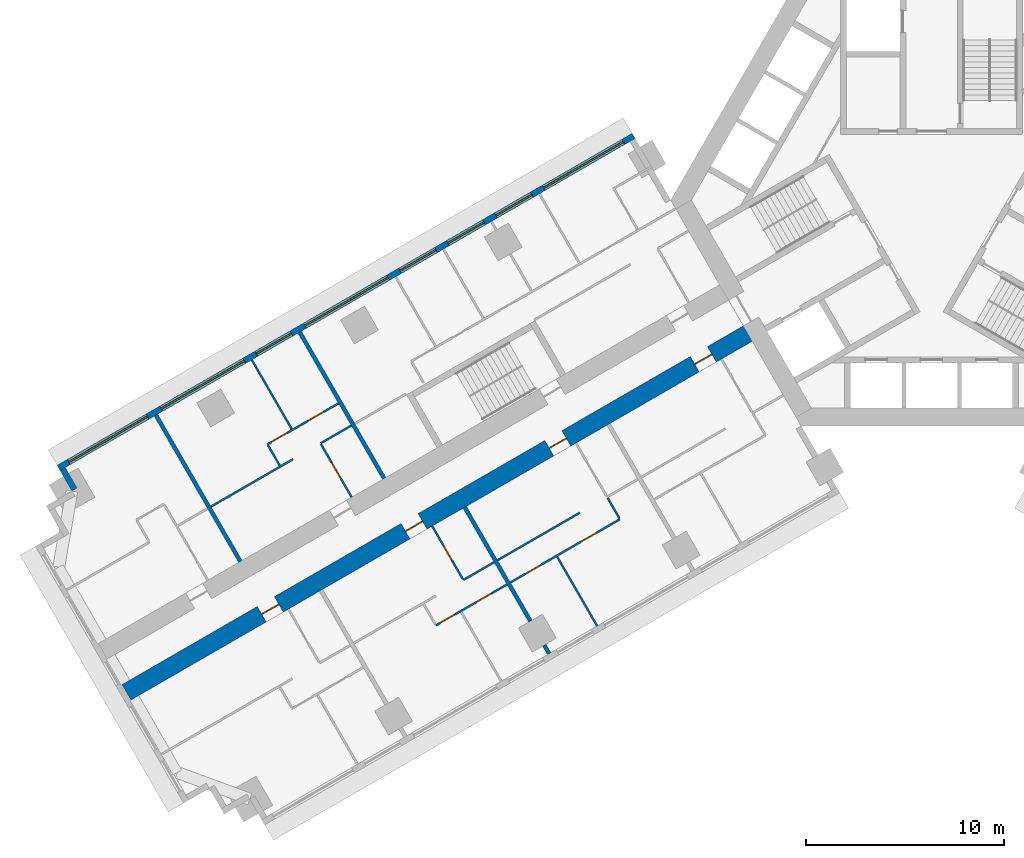
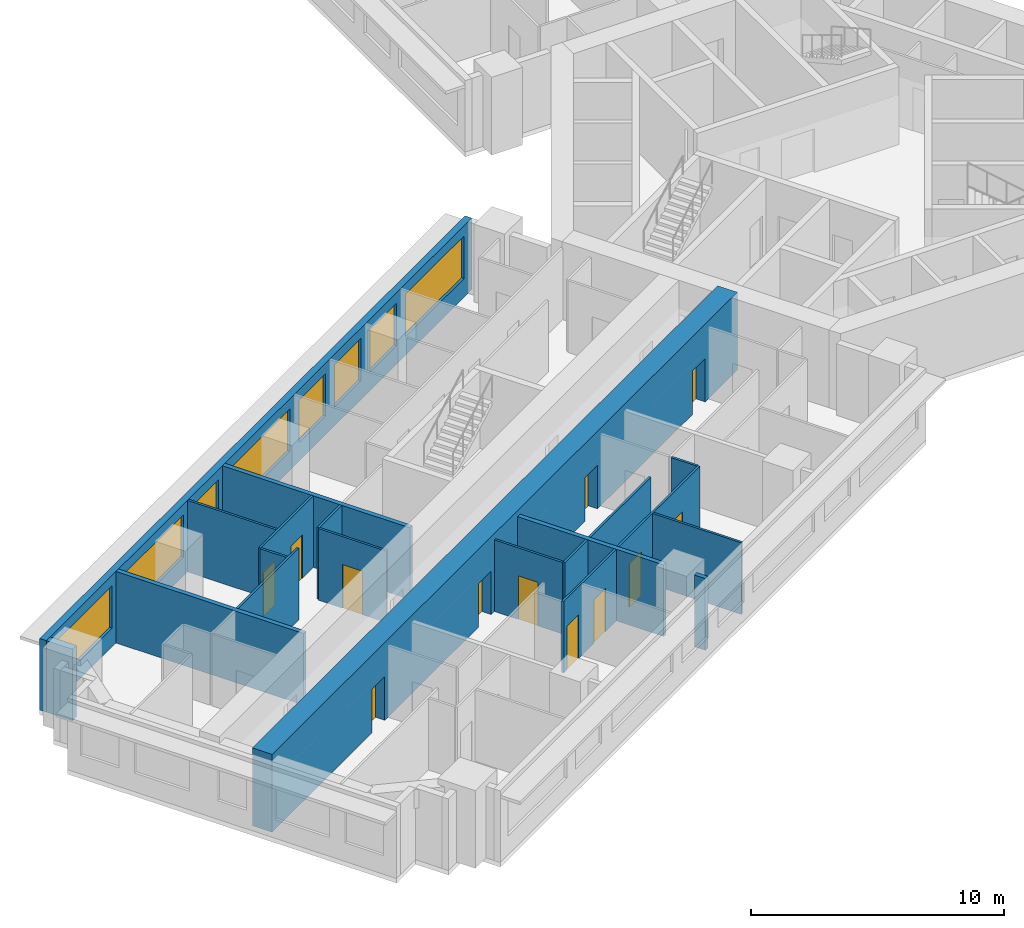
# One storey, part 3 of 14: 20 walls, 12 doors, 8 windows, 20 openings.
"""IFC4 building model written with IfcOpenShell, lengths in metres."""

from ifc_helpers import new_model, si_unit, direction, frame, frame_2d, origin, place, context, subcontext, project, spatial, rectangle, extrude, material, layer, layer_set, type_object, element, fill, save


model = new_model("IFC4")

# Units and contexts
model_context = context("Model", 3, precision=1e-05, world=origin(), true_north=direction((0.0, 1.0)))
body_context = subcontext(model_context, "Body", "Model", "MODEL_VIEW")
ifc_project = project(units=[si_unit("LENGTHUNIT", "METRE"), si_unit("AREAUNIT", "SQUARE_METRE"), si_unit("VOLUMEUNIT", "CUBIC_METRE"), si_unit("PLANEANGLEUNIT", "RADIAN"), si_unit("MASSUNIT", "GRAM", prefix="KILO")], contexts=[model_context])

# Site, building, storey
site_placement = place(None, origin())
site = spatial("IfcSite", under=ifc_project, at=site_placement, CompositionType="ELEMENT")
building_placement = place(site_placement, origin())
building = spatial("IfcBuilding", under=site, at=building_placement, Name="Impinga Residences", CompositionType="ELEMENT")
storey_placement = place(building_placement, frame((0.0, 0.0, 89.75)))
storey = spatial("IfcBuildingStorey", under=building, at=storey_placement, Name="L22", CompositionType="ELEMENT", Elevation=89.75)

# Wall, openings, doors
ifc_material_1 = material(Name="Concrete C70/85", Category="concrete")
ifc_layer_1 = layer(ifc_material_1, 0.89990234375)
ifc_layer_set_1 = layer_set([ifc_layer_1], Name="Concrete C70/85")
wall_type_1 = type_object("IfcWallType", Name="BW1 corridor buttress wall, L05 to L22 900", PredefinedType="SHEAR", material=ifc_layer_set_1)
wall_1_placement = place(storey_placement, frame((-8.910400390625, -6.530029296875, 0.0), z_axis=(0.0, 0.0, 1.0), x_axis=(-0.866025284237, -0.500000207062, 0.0)))
wall_1 = element("IfcWall", 1, at=wall_1_placement, inside=storey, type_object=wall_type_1, Name="Corridor wall BW1 WC L22", PredefinedType="SHEAR", context=body_context, shape_type="SweptSolid", body=[
    extrude(rectangle(XDim=36.75, YDim=0.89990234375, at=frame_2d((18.375, 0.0))), origin(), (0.0, 0.0, 1.0), 3.75),
])
opening_1_placement = place(wall_1_placement, frame((2.550048828125, 0.0, 0.0)))
opening_1 = element("IfcOpeningElement", 2, at=opening_1_placement, cuts=wall_1, Name="Opening D1", PredefinedType="OPENING", context=body_context, shape_type="SweptSolid", body=[
    extrude(rectangle(XDim=1.0, YDim=2.10009765625, at=frame_2d((0.5, 1.050048828125))), frame((0.0, 0.4599609375, 0.0), z_axis=(0.0, -1.0, 0.0), x_axis=(1.0, 0.0, 0.0)), (0.0, 0.0, 1.0), 0.919921875),
])
opening_2_placement = place(wall_1_placement, frame((11.050048828125, 0.0, 0.0)))
opening_2 = element("IfcOpeningElement", 3, at=opening_2_placement, cuts=wall_1, Name="Opening D1", PredefinedType="OPENING", context=body_context, shape_type="SweptSolid", body=[
    extrude(rectangle(XDim=1.0, YDim=2.10009765625, at=frame_2d((0.5, 1.050048828125))), frame((0.0, 0.4599609375, 0.0), z_axis=(0.0, -1.0, 0.0), x_axis=(1.0, 0.0, 0.0)), (0.0, 0.0, 1.0), 0.919921875),
])
opening_3_placement = place(wall_1_placement, frame((19.449951171875, 0.0, 0.0)))
opening_3 = element("IfcOpeningElement", 4, at=opening_3_placement, cuts=wall_1, Name="Opening D1", PredefinedType="OPENING", context=body_context, shape_type="SweptSolid", body=[
    extrude(rectangle(XDim=1.0, YDim=2.10009765625, at=frame_2d((0.5, 1.050048828125))), frame((0.0, 0.4599609375, 0.0), z_axis=(0.0, -1.0, 0.0), x_axis=(1.0, 0.0, 0.0)), (0.0, 0.0, 1.0), 0.919921875),
])
opening_4_placement = place(wall_1_placement, frame((27.85009765625, 0.0, 0.0)))
opening_4 = element("IfcOpeningElement", 5, at=opening_4_placement, cuts=wall_1, Name="Opening D1", PredefinedType="OPENING", context=body_context, shape_type="SweptSolid", body=[
    extrude(rectangle(XDim=1.0, YDim=2.10009765625, at=frame_2d((0.5, 1.050048828125))), frame((0.0, 0.4599609375, 0.0), z_axis=(0.0, -1.0, 0.0), x_axis=(1.0, 0.0, 0.0)), (0.0, 0.0, 1.0), 0.919921875),
])
ifc_material_2 = material(Name="Timber door set", Category="wood")
door_type_1 = type_object("IfcDoorType", Name="D1 apartment entrance door 1000x2100", OperationType="SINGLE_SWING_LEFT", PredefinedType="DOOR", material=ifc_material_2)
door_1_placement = place(opening_1_placement, origin())
door_1 = element("IfcDoor", 6, at=door_1_placement, inside=storey, type_object=door_type_1, Name="Apartment L22-WA1 entrance", OperationType="SINGLE_SWING_LEFT", OverallHeight=2.10009765625, OverallWidth=1.0, PredefinedType="DOOR", context=body_context, shape_type="SweptSolid", body=[
    extrude(rectangle(XDim=1.0, YDim=2.10009765625, at=frame_2d((0.5, 1.050048828125))), frame((0.0, 0.02490234375, 0.0), z_axis=(0.0, -1.0, 0.0), x_axis=(1.0, 0.0, 0.0)), (0.0, 0.0, 1.0), 0.050048828125),
])
fill(opening_1, door_1)
door_2_placement = place(opening_2_placement, origin())
door_2 = element("IfcDoor", 7, at=door_2_placement, inside=storey, type_object=door_type_1, Name="Apartment L22-WA2 entrance", OperationType="SINGLE_SWING_LEFT", OverallHeight=2.10009765625, OverallWidth=1.0, PredefinedType="DOOR", context=body_context, shape_type="SweptSolid", body=[
    extrude(rectangle(XDim=1.0, YDim=2.10009765625, at=frame_2d((0.5, 1.050048828125))), frame((0.0, 0.02490234375, 0.0), z_axis=(0.0, -1.0, 0.0), x_axis=(1.0, 0.0, 0.0)), (0.0, 0.0, 1.0), 0.050048828125),
])
fill(opening_2, door_2)
door_3_placement = place(opening_3_placement, origin())
door_3 = element("IfcDoor", 8, at=door_3_placement, inside=storey, type_object=door_type_1, Name="Apartment L22-WA3 entrance", OperationType="SINGLE_SWING_RIGHT", OverallHeight=2.10009765625, OverallWidth=1.0, PredefinedType="DOOR", context=body_context, shape_type="SweptSolid", body=[
    extrude(rectangle(XDim=1.0, YDim=2.10009765625, at=frame_2d((0.5, 1.050048828125))), frame((0.0, 0.02490234375, 0.0), z_axis=(0.0, -1.0, 0.0), x_axis=(1.0, 0.0, 0.0)), (0.0, 0.0, 1.0), 0.050048828125),
])
fill(opening_3, door_3)
door_4_placement = place(opening_4_placement, origin())
door_4 = element("IfcDoor", 9, at=door_4_placement, inside=storey, type_object=door_type_1, Name="Apartment L22-WA4 entrance", OperationType="SINGLE_SWING_RIGHT", OverallHeight=2.10009765625, OverallWidth=1.0, PredefinedType="DOOR", context=body_context, shape_type="SweptSolid", body=[
    extrude(rectangle(XDim=1.0, YDim=2.10009765625, at=frame_2d((0.5, 1.050048828125))), frame((0.0, 0.02490234375, 0.0), z_axis=(0.0, -1.0, 0.0), x_axis=(1.0, 0.0, 0.0)), (0.0, 0.0, 1.0), 0.050048828125),
])
fill(opening_4, door_4)

# Wall
ifc_material_3 = material(Name="Terracotta rainscreen on blockwork", Category="masonry")
ifc_layer_2 = layer(ifc_material_3, 0.300048828125)
ifc_layer_set_2 = layer_set([ifc_layer_2], Name="EW1 external wall, terracotta rainscreen on blockwork 300")
wall_type_2 = type_object("IfcWallType", Name="EW1 external wall, terracotta rainscreen on blockwork 300", PredefinedType="SOLIDWALL", material=ifc_layer_set_2)
wall_2_placement = place(storey_placement, frame((-43.37109375, -14.64208984375, 0.0), z_axis=(0.0, 0.0, 1.0), x_axis=(-0.500029051137, 0.866008630453, 0.0)))
element("IfcWall", 10, at=wall_2_placement, inside=storey, type_object=wall_type_2, Name="External wall EW1 L22", PredefinedType="SOLIDWALL", context=body_context, shape_type="SweptSolid", body=[
    extrude(rectangle(XDim=1.19482421875, YDim=0.300048828125, at=frame_2d((0.597412109375, 0.0))), origin(), (0.0, 0.0, 1.0), 3.449951171875),
])

# Wall, openings, windows
wall_3_placement = place(storey_placement, frame((-44.17333984375, -13.552490234375, 0.0), z_axis=(0.0, 0.0, 1.0), x_axis=(0.866024291668, 0.500001926238, 0.0)))
wall_3 = element("IfcWall", 11, at=wall_3_placement, inside=storey, type_object=wall_type_2, Name="External wall EW1 L22", PredefinedType="SOLIDWALL", context=body_context, shape_type="SweptSolid", body=[
    extrude(rectangle(XDim=33.599853515625, YDim=0.300048828125, at=frame_2d((16.7998046875, 0.0))), origin(), (0.0, 0.0, 1.0), 3.449951171875),
])
opening_5_placement = place(wall_3_placement, frame((0.60009765625, 0.0, 0.89990234375)))
opening_5 = element("IfcOpeningElement", 12, at=opening_5_placement, cuts=wall_3, Name="Opening W3", PredefinedType="OPENING", context=body_context, shape_type="SweptSolid", body=[
    extrude(rectangle(XDim=4.60009765625, YDim=2.050048828125, at=frame_2d((2.300048828125, 1.02490234375))), frame((0.0, 0.159912109375, 0.0), z_axis=(0.0, -1.0, 0.0), x_axis=(1.0, 0.0, 0.0)), (0.0, 0.0, 1.0), 0.320068359375),
])
opening_6_placement = place(wall_3_placement, frame((6.0, 0.0, 0.89990234375)))
opening_6 = element("IfcOpeningElement", 13, at=opening_6_placement, cuts=wall_3, Name="Opening W6", PredefinedType="OPENING", context=body_context, shape_type="SweptSolid", body=[
    extrude(rectangle(XDim=4.85009765625, YDim=2.050048828125, at=frame_2d((2.425048828125, 1.02490234375))), frame((0.0, 0.159912109375, 0.0), z_axis=(0.0, -1.0, 0.0), x_axis=(1.0, 0.0, 0.0)), (0.0, 0.0, 1.0), 0.320068359375),
])
opening_7_placement = place(wall_3_placement, frame((11.550048828125, 0.0, 0.89990234375)))
opening_7 = element("IfcOpeningElement", 14, at=opening_7_placement, cuts=wall_3, Name="Opening W14", PredefinedType="OPENING", context=body_context, shape_type="SweptSolid", body=[
    extrude(rectangle(XDim=2.050048828125, YDim=2.050048828125, at=frame_2d((1.02490234375, 1.02490234375))), frame((0.0, 0.159912109375, 0.0), z_axis=(0.0, -1.0, 0.0), x_axis=(1.0, 0.0, 0.0)), (0.0, 0.0, 1.0), 0.320068359375),
])
opening_8_placement = place(wall_3_placement, frame((14.39990234375, 0.0, 0.89990234375)))
opening_8 = element("IfcOpeningElement", 15, at=opening_8_placement, cuts=wall_3, Name="Opening W6", PredefinedType="OPENING", context=body_context, shape_type="SweptSolid", body=[
    extrude(rectangle(XDim=4.85009765625, YDim=2.050048828125, at=frame_2d((2.425048828125, 1.02490234375))), frame((0.0, 0.159912109375, 0.0), z_axis=(0.0, -1.0, 0.0), x_axis=(1.0, 0.0, 0.0)), (0.0, 0.0, 1.0), 0.320068359375),
])
opening_9_placement = place(wall_3_placement, frame((19.949951171875, 0.0, 0.89990234375)))
opening_9 = element("IfcOpeningElement", 16, at=opening_9_placement, cuts=wall_3, Name="Opening W9", PredefinedType="OPENING", context=body_context, shape_type="SweptSolid", body=[
    extrude(rectangle(XDim=2.10009765625, YDim=2.050048828125, at=frame_2d((1.050048828125, 1.02490234375))), frame((0.0, 0.159912109375, 0.0), z_axis=(0.0, -1.0, 0.0), x_axis=(1.0, 0.0, 0.0)), (0.0, 0.0, 1.0), 0.320068359375),
])
opening_10_placement = place(wall_3_placement, frame((22.75, 0.0, 0.89990234375)))
opening_10 = element("IfcOpeningElement", 17, at=opening_10_placement, cuts=wall_3, Name="Opening W9", PredefinedType="OPENING", context=body_context, shape_type="SweptSolid", body=[
    extrude(rectangle(XDim=2.10009765625, YDim=2.050048828125, at=frame_2d((1.050048828125, 1.02490234375))), frame((0.0, 0.159912109375, 0.0), z_axis=(0.0, -1.0, 0.0), x_axis=(1.0, 0.0, 0.0)), (0.0, 0.0, 1.0), 0.320068359375),
])
opening_11_placement = place(wall_3_placement, frame((25.550048828125, 0.0, 0.89990234375)))
opening_11 = element("IfcOpeningElement", 18, at=opening_11_placement, cuts=wall_3, Name="Opening W9", PredefinedType="OPENING", context=body_context, shape_type="SweptSolid", body=[
    extrude(rectangle(XDim=2.10009765625, YDim=2.050048828125, at=frame_2d((1.050048828125, 1.02490234375))), frame((0.0, 0.159912109375, 0.0), z_axis=(0.0, -1.0, 0.0), x_axis=(1.0, 0.0, 0.0)), (0.0, 0.0, 1.0), 0.320068359375),
])
opening_12_placement = place(wall_3_placement, frame((28.35009765625, 0.0, 0.89990234375)))
opening_12 = element("IfcOpeningElement", 19, at=opening_12_placement, cuts=wall_3, Name="Opening W10", PredefinedType="OPENING", context=body_context, shape_type="SweptSolid", body=[
    extrude(rectangle(XDim=4.64990234375, YDim=2.050048828125, at=frame_2d((2.324951171875, 1.02490234375))), frame((0.0, 0.159912109375, 0.0), z_axis=(0.0, -1.0, 0.0), x_axis=(1.0, 0.0, 0.0)), (0.0, 0.0, 1.0), 0.320068359375),
])
ifc_material_4 = material(Name="Aluminium window, clear double glazing", Category="aluminium")
window_type_1 = type_object("IfcWindowType", Name="W10 ribbon window 4650x2050", PartitioningType="SINGLE_PANEL", PredefinedType="WINDOW", material=ifc_material_4)
window_1_placement = place(opening_12_placement, origin())
window_1 = element("IfcWindow", 20, at=window_1_placement, inside=storey, type_object=window_type_1, Name="Window L22", OverallHeight=2.050048828125, OverallWidth=4.64990234375, PartitioningType="SINGLE_PANEL", PredefinedType="WINDOW", context=body_context, shape_type="SweptSolid", body=[
    extrude(rectangle(XDim=4.64990234375, YDim=2.050048828125, at=frame_2d((2.324951171875, 1.02490234375))), frame((0.0, 0.030029296875, 0.0), z_axis=(0.0, -1.0, 0.0), x_axis=(1.0, 0.0, 0.0)), (0.0, 0.0, 1.0), 0.06005859375),
])
fill(opening_12, window_1)
window_type_2 = type_object("IfcWindowType", Name="W14 ribbon window 2050x2050", PartitioningType="SINGLE_PANEL", PredefinedType="WINDOW", material=ifc_material_4)
window_2_placement = place(opening_7_placement, origin())
window_2 = element("IfcWindow", 21, at=window_2_placement, inside=storey, type_object=window_type_2, Name="Window L22", OverallHeight=2.050048828125, OverallWidth=2.050048828125, PartitioningType="SINGLE_PANEL", PredefinedType="WINDOW", context=body_context, shape_type="SweptSolid", body=[
    extrude(rectangle(XDim=2.050048828125, YDim=2.050048828125, at=frame_2d((1.02490234375, 1.02490234375))), frame((0.0, 0.030029296875, 0.0), z_axis=(0.0, -1.0, 0.0), x_axis=(1.0, 0.0, 0.0)), (0.0, 0.0, 1.0), 0.06005859375),
])
fill(opening_7, window_2)
window_type_3 = type_object("IfcWindowType", Name="W3 ribbon window 4600x2050", PartitioningType="SINGLE_PANEL", PredefinedType="WINDOW", material=ifc_material_4)
window_3_placement = place(opening_5_placement, origin())
window_3 = element("IfcWindow", 22, at=window_3_placement, inside=storey, type_object=window_type_3, Name="Window L22", OverallHeight=2.050048828125, OverallWidth=4.60009765625, PartitioningType="SINGLE_PANEL", PredefinedType="WINDOW", context=body_context, shape_type="SweptSolid", body=[
    extrude(rectangle(XDim=4.60009765625, YDim=2.050048828125, at=frame_2d((2.300048828125, 1.02490234375))), frame((0.0, 0.030029296875, 0.0), z_axis=(0.0, -1.0, 0.0), x_axis=(1.0, 0.0, 0.0)), (0.0, 0.0, 1.0), 0.06005859375),
])
fill(opening_5, window_3)
window_type_4 = type_object("IfcWindowType", Name="W6 ribbon window 4850x2050", PartitioningType="SINGLE_PANEL", PredefinedType="WINDOW", material=ifc_material_4)
window_4_placement = place(opening_6_placement, origin())
window_4 = element("IfcWindow", 23, at=window_4_placement, inside=storey, type_object=window_type_4, Name="Window L22", OverallHeight=2.050048828125, OverallWidth=4.85009765625, PartitioningType="SINGLE_PANEL", PredefinedType="WINDOW", context=body_context, shape_type="SweptSolid", body=[
    extrude(rectangle(XDim=4.85009765625, YDim=2.050048828125, at=frame_2d((2.425048828125, 1.02490234375))), frame((0.0, 0.030029296875, 0.0), z_axis=(0.0, -1.0, 0.0), x_axis=(1.0, 0.0, 0.0)), (0.0, 0.0, 1.0), 0.06005859375),
])
fill(opening_6, window_4)
window_5_placement = place(opening_8_placement, origin())
window_5 = element("IfcWindow", 24, at=window_5_placement, inside=storey, type_object=window_type_4, Name="Window L22", OverallHeight=2.050048828125, OverallWidth=4.85009765625, PartitioningType="SINGLE_PANEL", PredefinedType="WINDOW", context=body_context, shape_type="SweptSolid", body=[
    extrude(rectangle(XDim=4.85009765625, YDim=2.050048828125, at=frame_2d((2.425048828125, 1.02490234375))), frame((0.0, 0.030029296875, 0.0), z_axis=(0.0, -1.0, 0.0), x_axis=(1.0, 0.0, 0.0)), (0.0, 0.0, 1.0), 0.06005859375),
])
fill(opening_8, window_5)
window_type_5 = type_object("IfcWindowType", Name="W9 ribbon window 2100x2050", PartitioningType="SINGLE_PANEL", PredefinedType="WINDOW", material=ifc_material_4)
window_6_placement = place(opening_9_placement, origin())
window_6 = element("IfcWindow", 25, at=window_6_placement, inside=storey, type_object=window_type_5, Name="Window L22", OverallHeight=2.050048828125, OverallWidth=2.10009765625, PartitioningType="SINGLE_PANEL", PredefinedType="WINDOW", context=body_context, shape_type="SweptSolid", body=[
    extrude(rectangle(XDim=2.10009765625, YDim=2.050048828125, at=frame_2d((1.050048828125, 1.02490234375))), frame((0.0, 0.030029296875, 0.0), z_axis=(0.0, -1.0, 0.0), x_axis=(1.0, 0.0, 0.0)), (0.0, 0.0, 1.0), 0.06005859375),
])
fill(opening_9, window_6)
window_7_placement = place(opening_10_placement, origin())
window_7 = element("IfcWindow", 26, at=window_7_placement, inside=storey, type_object=window_type_5, Name="Window L22", OverallHeight=2.050048828125, OverallWidth=2.10009765625, PartitioningType="SINGLE_PANEL", PredefinedType="WINDOW", context=body_context, shape_type="SweptSolid", body=[
    extrude(rectangle(XDim=2.10009765625, YDim=2.050048828125, at=frame_2d((1.050048828125, 1.02490234375))), frame((0.0, 0.030029296875, 0.0), z_axis=(0.0, -1.0, 0.0), x_axis=(1.0, 0.0, 0.0)), (0.0, 0.0, 1.0), 0.06005859375),
])
fill(opening_10, window_7)
window_8_placement = place(opening_11_placement, origin())
window_8 = element("IfcWindow", 27, at=window_8_placement, inside=storey, type_object=window_type_5, Name="Window L22", OverallHeight=2.050048828125, OverallWidth=2.10009765625, PartitioningType="SINGLE_PANEL", PredefinedType="WINDOW", context=body_context, shape_type="SweptSolid", body=[
    extrude(rectangle(XDim=2.10009765625, YDim=2.050048828125, at=frame_2d((1.050048828125, 1.02490234375))), frame((0.0, 0.030029296875, 0.0), z_axis=(0.0, -1.0, 0.0), x_axis=(1.0, 0.0, 0.0)), (0.0, 0.0, 1.0), 0.06005859375),
])
fill(opening_11, window_8)

# Wall
ifc_material_5 = material(Name="Gypsum board on steel studs", Category="steel")
ifc_layer_3 = layer(ifc_material_5, 0.10009765625)
ifc_layer_set_3 = layer_set([ifc_layer_3], Name="Gypsum board on steel studs")
wall_type_3 = type_object("IfcWallType", Name="IP1 partition 100", PredefinedType="PARTITIONING", material=ifc_layer_set_3)
wall_4_placement = place(storey_placement, frame((-17.8056640625, -15.82275390625, 0.0), z_axis=(0.0, 0.0, 1.0), x_axis=(-0.866037363387, -0.499979284789, 0.0)))
element("IfcWall", 28, at=wall_4_placement, inside=storey, type_object=wall_type_3, Name="Partition L22-WA2:DIV1", PredefinedType="PARTITIONING", context=body_context, shape_type="SweptSolid", body=[
    extrude(rectangle(XDim=4.800048828125, YDim=0.10009765625, at=frame_2d((2.39990234375, 0.0))), origin(), (0.0, 0.0, 1.0), 3.449951171875),
])

# Wall, openings, doors
wall_5_placement = place(storey_placement, frame((-15.77001953125, -16.1484375, 0.0), z_axis=(0.0, 0.0, 1.0), x_axis=(-0.866018518567, -0.500011925357, 0.0)))
wall_5 = element("IfcWall", 29, at=wall_5_placement, inside=storey, type_object=wall_type_3, Name="Partition L22-WA2:STRIP", PredefinedType="PARTITIONING", context=body_context, shape_type="SweptSolid", body=[
    extrude(rectangle(XDim=6.400146484375, YDim=0.10009765625, at=frame_2d((3.2001953125, 0.0))), origin(), (0.0, 0.0, 1.0), 3.449951171875),
])
opening_13_placement = place(wall_5_placement, frame((1.375, 0.0, 0.0)))
opening_13 = element("IfcOpeningElement", 30, at=opening_13_placement, cuts=wall_5, Name="Opening D2", PredefinedType="OPENING", context=body_context, shape_type="SweptSolid", body=[
    extrude(rectangle(XDim=0.89990234375, YDim=2.10009765625, at=frame_2d((0.449951171875, 1.050048828125))), frame((0.0, 0.06005859375, 0.0), z_axis=(0.0, -1.0, 0.0), x_axis=(1.0, 0.0, 0.0)), (0.0, 0.0, 1.0), 0.1201171875),
])
opening_14_placement = place(wall_5_placement, frame((4.625, 0.0, 0.0)))
opening_14 = element("IfcOpeningElement", 31, at=opening_14_placement, cuts=wall_5, Name="Opening D2", PredefinedType="OPENING", context=body_context, shape_type="SweptSolid", body=[
    extrude(rectangle(XDim=0.89990234375, YDim=2.10009765625, at=frame_2d((0.449951171875, 1.050048828125))), frame((0.0, 0.06005859375, 0.0), z_axis=(0.0, -1.0, 0.0), x_axis=(1.0, 0.0, 0.0)), (0.0, 0.0, 1.0), 0.1201171875),
])
door_type_2 = type_object("IfcDoorType", Name="D2 internal door 900x2100", OperationType="SINGLE_SWING_LEFT", PredefinedType="DOOR", material=ifc_material_2)
door_5_placement = place(opening_13_placement, origin())
door_5 = element("IfcDoor", 32, at=door_5_placement, inside=storey, type_object=door_type_2, Name="Apartment L22-WA2 room door", OperationType="SINGLE_SWING_LEFT", OverallHeight=2.10009765625, OverallWidth=0.89990234375, PredefinedType="DOOR", context=body_context, shape_type="SweptSolid", body=[
    extrude(rectangle(XDim=0.89990234375, YDim=2.10009765625, at=frame_2d((0.449951171875, 1.050048828125))), frame((0.0, 0.02490234375, 0.0), z_axis=(0.0, -1.0, 0.0), x_axis=(1.0, 0.0, 0.0)), (0.0, 0.0, 1.0), 0.050048828125),
])
fill(opening_13, door_5)
door_6_placement = place(opening_14_placement, origin())
door_6 = element("IfcDoor", 33, at=door_6_placement, inside=storey, type_object=door_type_2, Name="Apartment L22-WA2 room door", OperationType="SINGLE_SWING_RIGHT", OverallHeight=2.10009765625, OverallWidth=0.89990234375, PredefinedType="DOOR", context=body_context, shape_type="SweptSolid", body=[
    extrude(rectangle(XDim=0.89990234375, YDim=2.10009765625, at=frame_2d((0.449951171875, 1.050048828125))), frame((0.0, 0.02490234375, 0.0), z_axis=(0.0, -1.0, 0.0), x_axis=(1.0, 0.0, 0.0)), (0.0, 0.0, 1.0), 0.050048828125),
])
fill(opening_14, door_6)

# Walls
wall_6_placement = place(storey_placement, frame((-16.39501953125, -15.06591796875, 0.0), z_axis=(0.0, 0.0, 1.0), x_axis=(0.499880961361, -0.866094119867, 0.0)))
element("IfcWall", 34, at=wall_6_placement, inside=storey, type_object=wall_type_3, Name="Partition L22-WA2:SE0", PredefinedType="PARTITIONING", context=body_context, shape_type="SweptSolid", body=[
    extrude(rectangle(XDim=1.199951171875, YDim=0.10009765625, at=frame_2d((0.60009765625, 0.0))), origin(), (0.0, 0.0, 1.0), 3.449951171875),
])
wall_7_placement = place(storey_placement, frame((-18.949462890625, -18.041748046875, 0.0), z_axis=(0.0, 0.0, 1.0), x_axis=(0.50000943426, -0.866019956843, 0.0)))
element("IfcWall", 35, at=wall_7_placement, inside=storey, type_object=wall_type_3, Name="Partition L22-WA2:OB1", PredefinedType="PARTITIONING", context=body_context, shape_type="SweptSolid", body=[
    extrude(rectangle(XDim=4.05029296875, YDim=0.10009765625, at=frame_2d((2.025146484375, 0.0))), origin(), (0.0, 0.0, 1.0), 3.449951171875),
])
wall_8_placement = place(storey_placement, frame((-22.1357421875, -18.32275390625, 0.0), z_axis=(0.0, 0.0, 1.0), x_axis=(-0.866047807691, -0.499961193289, 0.0)))
element("IfcWall", 36, at=wall_8_placement, inside=storey, type_object=wall_type_3, Name="Partition L22-WA3:DIV0", PredefinedType="PARTITIONING", context=body_context, shape_type="SweptSolid", body=[
    extrude(rectangle(XDim=1.800048828125, YDim=0.10009765625, at=frame_2d((0.89990234375, 0.0))), origin(), (0.0, 0.0, 1.0), 3.449951171875),
])

# Wall, openings, doors
wall_9_placement = place(storey_placement, frame((-21.48583984375, -19.448486328125, 0.0), z_axis=(0.0, 0.0, 1.0), x_axis=(-0.86602981871, -0.499992353047, 0.0)))
wall_9 = element("IfcWall", 37, at=wall_9_placement, inside=storey, type_object=wall_type_3, Name="Partition L22-WA3:STRIP", PredefinedType="PARTITIONING", context=body_context, shape_type="SweptSolid", body=[
    extrude(rectangle(XDim=4.14990234375, YDim=0.10009765625, at=frame_2d((2.074951171875, 0.0))), origin(), (0.0, 0.0, 1.0), 3.449951171875),
])
opening_15_placement = place(wall_9_placement, frame((0.875, 0.0, 0.0)))
opening_15 = element("IfcOpeningElement", 38, at=opening_15_placement, cuts=wall_9, Name="Opening D2", PredefinedType="OPENING", context=body_context, shape_type="SweptSolid", body=[
    extrude(rectangle(XDim=0.89990234375, YDim=2.10009765625, at=frame_2d((0.449951171875, 1.050048828125))), frame((0.0, 0.06005859375, 0.0), z_axis=(0.0, -1.0, 0.0), x_axis=(1.0, 0.0, 0.0)), (0.0, 0.0, 1.0), 0.1201171875),
])
opening_16_placement = place(wall_9_placement, frame((3.0, 0.0, 0.0)))
opening_16 = element("IfcOpeningElement", 39, at=opening_16_placement, cuts=wall_9, Name="Opening D2", PredefinedType="OPENING", context=body_context, shape_type="SweptSolid", body=[
    extrude(rectangle(XDim=0.89990234375, YDim=2.10009765625, at=frame_2d((0.449951171875, 1.050048828125))), frame((0.0, 0.06005859375, 0.0), z_axis=(0.0, -1.0, 0.0), x_axis=(1.0, 0.0, 0.0)), (0.0, 0.0, 1.0), 0.1201171875),
])
door_7_placement = place(opening_15_placement, origin())
door_7 = element("IfcDoor", 40, at=door_7_placement, inside=storey, type_object=door_type_2, Name="Apartment L22-WA3 room door", OperationType="SINGLE_SWING_LEFT", OverallHeight=2.10009765625, OverallWidth=0.89990234375, PredefinedType="DOOR", context=body_context, shape_type="SweptSolid", body=[
    extrude(rectangle(XDim=0.89990234375, YDim=2.10009765625, at=frame_2d((0.449951171875, 1.050048828125))), frame((0.0, 0.02490234375, 0.0), z_axis=(0.0, -1.0, 0.0), x_axis=(1.0, 0.0, 0.0)), (0.0, 0.0, 1.0), 0.050048828125),
])
fill(opening_15, door_7)
door_8_placement = place(opening_16_placement, origin())
door_8 = element("IfcDoor", 41, at=door_8_placement, inside=storey, type_object=door_type_2, Name="Apartment L22-WA3 room door", OperationType="SINGLE_SWING_RIGHT", OverallHeight=2.10009765625, OverallWidth=0.89990234375, PredefinedType="DOOR", context=body_context, shape_type="SweptSolid", body=[
    extrude(rectangle(XDim=0.89990234375, YDim=2.10009765625, at=frame_2d((0.449951171875, 1.050048828125))), frame((0.0, 0.02490234375, 0.0), z_axis=(0.0, -1.0, 0.0), x_axis=(1.0, 0.0, 0.0)), (0.0, 0.0, 1.0), 0.050048828125),
])
fill(opening_16, door_8)

# Wall, opening, door
wall_10_placement = place(storey_placement, frame((-25.269775390625, -16.49462890625, 0.0), z_axis=(0.0, 0.0, 1.0), x_axis=(0.49999285859, -0.86602952684, 0.0)))
wall_10 = element("IfcWall", 42, at=wall_10_placement, inside=storey, type_object=wall_type_3, Name="Partition L22-WA3:IB1", PredefinedType="PARTITIONING", context=body_context, shape_type="SweptSolid", body=[
    extrude(rectangle(XDim=3.10009765625, YDim=0.10009765625, at=frame_2d((1.550048828125, 0.0))), origin(), (0.0, 0.0, 1.0), 3.449951171875),
])
opening_17_placement = place(wall_10_placement, frame((1.10009765625, 0.0, 0.0)))
opening_17 = element("IfcOpeningElement", 43, at=opening_17_placement, cuts=wall_10, Name="Opening D2", PredefinedType="OPENING", context=body_context, shape_type="SweptSolid", body=[
    extrude(rectangle(XDim=0.89990234375, YDim=2.10009765625, at=frame_2d((0.449951171875, 1.050048828125))), frame((0.0, 0.06005859375, 0.0), z_axis=(0.0, -1.0, 0.0), x_axis=(1.0, 0.0, 0.0)), (0.0, 0.0, 1.0), 0.1201171875),
])
door_9_placement = place(opening_17_placement, origin())
door_9 = element("IfcDoor", 44, at=door_9_placement, inside=storey, type_object=door_type_2, Name="Apartment L22-WA3 bathroom door", OperationType="SINGLE_SWING_LEFT", OverallHeight=2.10009765625, OverallWidth=0.89990234375, PredefinedType="DOOR", context=body_context, shape_type="SweptSolid", body=[
    extrude(rectangle(XDim=0.89990234375, YDim=2.10009765625, at=frame_2d((0.449951171875, 1.050048828125))), frame((0.0, 0.02490234375, 0.0), z_axis=(0.0, -1.0, 0.0), x_axis=(1.0, 0.0, 0.0)), (0.0, 0.0, 1.0), 0.050048828125),
])
fill(opening_17, door_9)

# Walls
wall_11_placement = place(storey_placement, frame((-29.360595703125, -11.408935546875, 0.0), z_axis=(0.0, 0.0, 1.0), x_axis=(-0.866047807691, -0.499961193289, 0.0)))
element("IfcWall", 45, at=wall_11_placement, inside=storey, type_object=wall_type_3, Name="Partition L22-WF2:DIV0", PredefinedType="PARTITIONING", context=body_context, shape_type="SweptSolid", body=[
    extrude(rectangle(XDim=1.800048828125, YDim=0.10009765625, at=frame_2d((0.89990234375, 0.0))), origin(), (0.0, 0.0, 1.0), 3.449951171875),
])
wall_12_placement = place(storey_placement, frame((-32.30517578125, -13.10888671875, 0.0), z_axis=(0.0, 0.0, 1.0), x_axis=(-0.866037363387, -0.499979284789, 0.0)))
element("IfcWall", 46, at=wall_12_placement, inside=storey, type_object=wall_type_3, Name="Partition L22-WF2:DIV1", PredefinedType="PARTITIONING", context=body_context, shape_type="SweptSolid", body=[
    extrude(rectangle(XDim=4.800048828125, YDim=0.10009765625, at=frame_2d((2.39990234375, 0.0))), origin(), (0.0, 0.0, 1.0), 3.449951171875),
])

# Wall, openings, doors
wall_13_placement = place(storey_placement, frame((-30.0107421875, -10.282958984375, 0.0), z_axis=(0.0, 0.0, 1.0), x_axis=(-0.86602981871, -0.499992353047, 0.0)))
wall_13 = element("IfcWall", 47, at=wall_13_placement, inside=storey, type_object=wall_type_3, Name="Partition L22-WF2:STRIP", PredefinedType="PARTITIONING", context=body_context, shape_type="SweptSolid", body=[
    extrude(rectangle(XDim=4.14990234375, YDim=0.10009765625, at=frame_2d((2.074951171875, 0.0))), origin(), (0.0, 0.0, 1.0), 3.449951171875),
])
opening_18_placement = place(wall_13_placement, frame((0.875, 0.0, 0.0)))
opening_18 = element("IfcOpeningElement", 48, at=opening_18_placement, cuts=wall_13, Name="Opening D2", PredefinedType="OPENING", context=body_context, shape_type="SweptSolid", body=[
    extrude(rectangle(XDim=0.89990234375, YDim=2.10009765625, at=frame_2d((0.449951171875, 1.050048828125))), frame((0.0, 0.06005859375, 0.0), z_axis=(0.0, -1.0, 0.0), x_axis=(1.0, 0.0, 0.0)), (0.0, 0.0, 1.0), 0.1201171875),
])
opening_19_placement = place(wall_13_placement, frame((3.0, 0.0, 0.0)))
opening_19 = element("IfcOpeningElement", 49, at=opening_19_placement, cuts=wall_13, Name="Opening D2", PredefinedType="OPENING", context=body_context, shape_type="SweptSolid", body=[
    extrude(rectangle(XDim=0.89990234375, YDim=2.10009765625, at=frame_2d((0.449951171875, 1.050048828125))), frame((0.0, 0.06005859375, 0.0), z_axis=(0.0, -1.0, 0.0), x_axis=(1.0, 0.0, 0.0)), (0.0, 0.0, 1.0), 0.1201171875),
])
door_10_placement = place(opening_18_placement, origin())
door_10 = element("IfcDoor", 50, at=door_10_placement, inside=storey, type_object=door_type_2, Name="Apartment L22-WF2 room door", OperationType="SINGLE_SWING_LEFT", OverallHeight=2.10009765625, OverallWidth=0.89990234375, PredefinedType="DOOR", context=body_context, shape_type="SweptSolid", body=[
    extrude(rectangle(XDim=0.89990234375, YDim=2.10009765625, at=frame_2d((0.449951171875, 1.050048828125))), frame((0.0, 0.02490234375, 0.0), z_axis=(0.0, -1.0, 0.0), x_axis=(1.0, 0.0, 0.0)), (0.0, 0.0, 1.0), 0.050048828125),
])
fill(opening_18, door_10)
door_11_placement = place(opening_19_placement, origin())
door_11 = element("IfcDoor", 51, at=door_11_placement, inside=storey, type_object=door_type_2, Name="Apartment L22-WF2 room door", OperationType="SINGLE_SWING_RIGHT", OverallHeight=2.10009765625, OverallWidth=0.89990234375, PredefinedType="DOOR", context=body_context, shape_type="SweptSolid", body=[
    extrude(rectangle(XDim=0.89990234375, YDim=2.10009765625, at=frame_2d((0.449951171875, 1.050048828125))), frame((0.0, 0.02490234375, 0.0), z_axis=(0.0, -1.0, 0.0), x_axis=(1.0, 0.0, 0.0)), (0.0, 0.0, 1.0), 0.050048828125),
])
fill(opening_19, door_11)

# Wall
wall_14_placement = place(storey_placement, frame((-32.979736328125, -13.4404296875, 0.0), z_axis=(0.0, 0.0, 1.0), x_axis=(-0.499969057507, 0.866043267704, 0.0)))
element("IfcWall", 52, at=wall_14_placement, inside=storey, type_object=wall_type_3, Name="Partition L22-WF2:SE1", PredefinedType="PARTITIONING", context=body_context, shape_type="SweptSolid", body=[
    extrude(rectangle(XDim=1.19970703125, YDim=0.10009765625, at=frame_2d((0.599853515625, 0.0))), origin(), (0.0, 0.0, 1.0), 3.449951171875),
])

# Wall, opening, door
wall_15_placement = place(storey_placement, frame((-29.344482421875, -15.036865234375, 0.0), z_axis=(0.0, 0.0, 1.0), x_axis=(-0.49999285859, 0.86602952684, 0.0)))
wall_15 = element("IfcWall", 53, at=wall_15_placement, inside=storey, type_object=wall_type_3, Name="Partition L22-WF2:IB1", PredefinedType="PARTITIONING", context=body_context, shape_type="SweptSolid", body=[
    extrude(rectangle(XDim=3.10009765625, YDim=0.10009765625, at=frame_2d((1.550048828125, 0.0))), origin(), (0.0, 0.0, 1.0), 3.449951171875),
])
opening_20_placement = place(wall_15_placement, frame((1.10009765625, 0.0, 0.0)))
opening_20 = element("IfcOpeningElement", 54, at=opening_20_placement, cuts=wall_15, Name="Opening D2", PredefinedType="OPENING", context=body_context, shape_type="SweptSolid", body=[
    extrude(rectangle(XDim=0.89990234375, YDim=2.10009765625, at=frame_2d((0.449951171875, 1.050048828125))), frame((0.0, 0.06005859375, 0.0), z_axis=(0.0, -1.0, 0.0), x_axis=(1.0, 0.0, 0.0)), (0.0, 0.0, 1.0), 0.1201171875),
])
door_12_placement = place(opening_20_placement, origin())
door_12 = element("IfcDoor", 55, at=door_12_placement, inside=storey, type_object=door_type_2, Name="Apartment L22-WF2 bathroom door", OperationType="SINGLE_SWING_LEFT", OverallHeight=2.10009765625, OverallWidth=0.89990234375, PredefinedType="DOOR", context=body_context, shape_type="SweptSolid", body=[
    extrude(rectangle(XDim=0.89990234375, YDim=2.10009765625, at=frame_2d((0.449951171875, 1.050048828125))), frame((0.0, 0.02490234375, 0.0), z_axis=(0.0, -1.0, 0.0), x_axis=(1.0, 0.0, 0.0)), (0.0, 0.0, 1.0), 0.050048828125),
])
fill(opening_20, door_12)

# Walls
wall_16_placement = place(storey_placement, frame((-32.3740234375, -11.589599609375, 0.0), z_axis=(0.0, 0.0, 1.0), x_axis=(-0.499990325971, 0.866030989016, 0.0)))
element("IfcWall", 56, at=wall_16_placement, inside=storey, type_object=wall_type_3, Name="Partition L22-WF2:OB1", PredefinedType="PARTITIONING", context=body_context, shape_type="SweptSolid", body=[
    extrude(rectangle(XDim=4.0498046875, YDim=0.10009765625, at=frame_2d((2.02490234375, 0.0))), origin(), (0.0, 0.0, 1.0), 3.449951171875),
])
ifc_material_6 = material(Name="Concrete blockwork", Category="masonry")
ifc_layer_4 = layer(ifc_material_6, 0.199951171875)
ifc_layer_set_4 = layer_set([ifc_layer_4], Name="PW1 party wall between apartments 200")
wall_type_4 = type_object("IfcWallType", Name="PW1 party wall between apartments 200", PredefinedType="SOLIDWALL", material=ifc_layer_set_4)
wall_17_placement = place(storey_placement, frame((-23.624267578125, -15.544677734375, 0.0), z_axis=(0.0, 0.0, 1.0), x_axis=(0.49999681972, -0.866027239912, 0.0)))
element("IfcWall", 57, at=wall_17_placement, inside=storey, type_object=wall_type_4, Name="Party wall between apartments L22-WA2:PARTY", PredefinedType="SOLIDWALL", context=body_context, shape_type="SweptSolid", body=[
    extrude(rectangle(XDim=6.64990234375, YDim=0.199951171875, at=frame_2d((3.324951171875, 0.0))), origin(), (0.0, 0.0, 1.0), 3.449951171875),
])
wall_18_placement = place(storey_placement, frame((-19.59912109375, -22.51611328125, 0.0), z_axis=(0.0, 0.0, 1.0), x_axis=(0.499919672301, -0.866071776036, 0.0)))
element("IfcWall", 58, at=wall_18_placement, inside=storey, type_object=wall_type_4, Name="Party wall between apartments L22-WA2:PARTYb", PredefinedType="SOLIDWALL", context=body_context, shape_type="SweptSolid", body=[
    extrude(rectangle(XDim=0.5, YDim=0.199951171875, at=frame_2d((0.25, 0.0))), origin(), (0.0, 0.0, 1.0), 3.449951171875),
])
for number, where, z_axis, x_axis, name in (
    (59, (-27.69921875, -14.0869140625, 0.0), (0.0, 0.0, 1.0), (-0.499990227581, 0.86603104582, 0.0), "Party wall between apartments L22-WF1:PARTY"),
    (60, (-34.9736328125, -18.286865234375, 0.0), (0.0, 0.0, 1.0), (-0.500011643316, 0.866018681408, 0.0), "Party wall between apartments L22-WF2:PARTY"),
):
    element("IfcWall", number, at=place(storey_placement, frame(where, z_axis=z_axis, x_axis=x_axis)), inside=storey, type_object=wall_type_4, Name=name, PredefinedType="SOLIDWALL", context=body_context, shape_type="SweptSolid", body=[
        extrude(rectangle(XDim=8.550048828125, YDim=0.199951171875, at=frame_2d((4.27490234375, 0.0))), origin(), (0.0, 0.0, 1.0), 3.449951171875),
    ])

save(model, "model.ifc")
